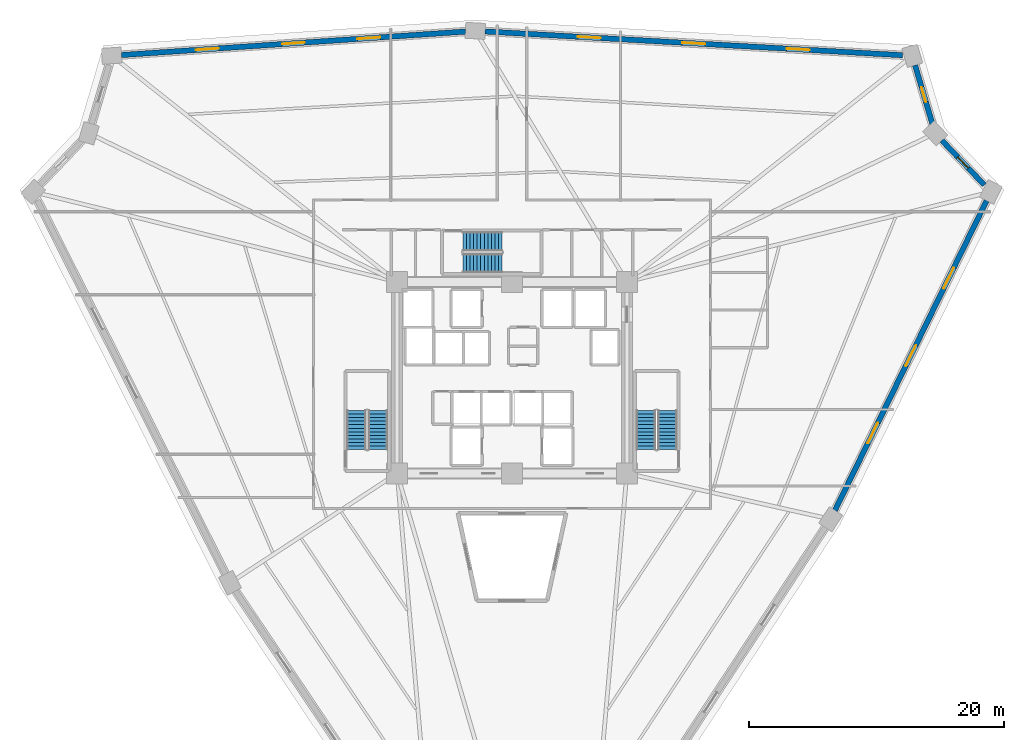
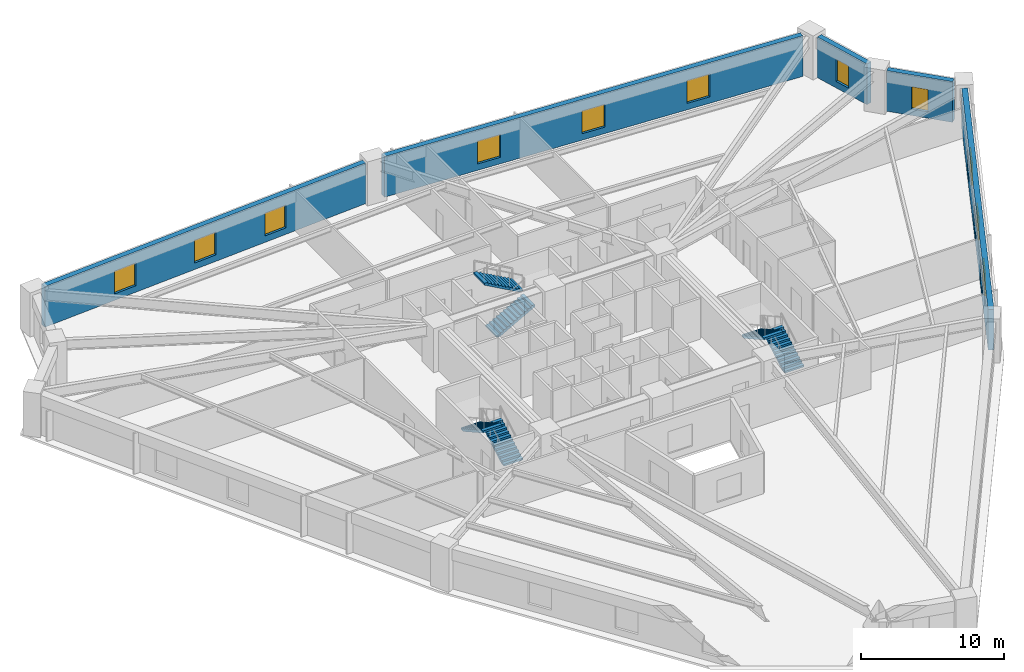
# One storey, part 7 of 8: 11 windows, 6 stair flights, 5 walls, 11 openings, 3 elements without a shape of their own.
"""IFC4 building model written with IfcOpenShell, lengths in metres."""

from ifc_helpers import new_model, si_unit, direction, frame, frame_2d, origin, place, context, subcontext, project, spatial, polyline, rectangle, outline, extrude, source, transform, mapped, material, layer, layer_set, type_object, element, fill, aggregate, save


model = new_model("IFC4")

# Units and contexts
model_context = context("Model", 3, precision=1e-05, world=origin(), true_north=direction((0.0, 1.0)))
body_context = subcontext(model_context, "Body", "Model", "MODEL_VIEW")
ifc_project = project(units=[si_unit("LENGTHUNIT", "METRE"), si_unit("AREAUNIT", "SQUARE_METRE"), si_unit("VOLUMEUNIT", "CUBIC_METRE"), si_unit("PLANEANGLEUNIT", "RADIAN"), si_unit("MASSUNIT", "GRAM", prefix="KILO")], contexts=[model_context])

# Site, building, storey
site_placement = place(None, origin())
site = spatial("IfcSite", under=ifc_project, at=site_placement, CompositionType="ELEMENT")
building_placement = place(site_placement, origin())
building = spatial("IfcBuilding", under=site, at=building_placement, Name="Liaohun Quay Tower", CompositionType="ELEMENT")
storey_placement = place(building_placement, frame((0.0, 0.0, 89.25)))
storey = spatial("IfcBuildingStorey", under=building, at=storey_placement, Name="L23", CompositionType="ELEMENT", Elevation=89.25)

# Wall, openings, windows
ifc_material_1 = material(Name="Precast concrete C50 insulated sandwich", Category="concrete")
ifc_layer = layer(ifc_material_1, 0.419921875, Name="Precast concrete C50 insulated sandwich", Category="concrete")
ifc_layer_set = layer_set([ifc_layer], Name="Precast concrete C50 insulated sandwich")
wall_type = type_object("IfcWallType", Name="WAL-EXT-Z12", PredefinedType="SOLIDWALL", material=ifc_layer_set)
wall_1_placement = place(storey_placement, frame((85.302978515625, 43.593994140625, 0.0), z_axis=(0.0, 0.0, 1.0), x_axis=(0.43984083091, 0.898075744837, 0.0)))
wall_1 = element("IfcWall", 1, at=wall_1_placement, inside=storey, type_object=wall_type, Name="L23 Brutalist Precast Pier Wall 03", PredefinedType="SOLIDWALL", context=body_context, shape_type="SweptSolid", body=[
    extrude(rectangle(XDim=27.0234375, YDim=0.419921875, at=frame_2d((13.51171875, 0.0))), origin(), (0.0, 0.0, 1.0), 3.469970703125),
])
shared_shape_1 = source(origin(), body_context, "Body", "SweptSolid", [
    extrude(rectangle(XDim=1.800048828125, YDim=1.949951171875, at=frame_2d((0.89990234375, 0.97509765625))), frame((0.0, 0.219970703125, 0.0), z_axis=(0.0, -1.0, 0.0), x_axis=(1.0, 0.0, 0.0)), (0.0, 0.0, 1.0), 0.43994140625),
])
opening_1_placement = place(wall_1_placement, frame((5.85595703125, 0.0, 0.550048828125)))
opening_1 = element("IfcOpeningElement", 2, at=opening_1_placement, cuts=wall_1, Name="Opening W01", PredefinedType="OPENING", context=body_context, shape_type="MappedRepresentation", body=[
    mapped(shared_shape_1, transform((0.0, 0.0, 0.0), x_axis=(1.0, 0.0, 0.0), y_axis=(0.0, 1.0, 0.0), z_axis=(0.0, 0.0, 1.0), scale=1.0)),
])
opening_2_placement = place(wall_1_placement, frame((12.612060546875, 0.0, 0.550048828125)))
opening_2 = element("IfcOpeningElement", 3, at=opening_2_placement, cuts=wall_1, Name="Opening W01", PredefinedType="OPENING", context=body_context, shape_type="MappedRepresentation", body=[
    mapped(shared_shape_1, transform((0.0, 0.0, 0.0), x_axis=(1.0, 0.0, 0.0), y_axis=(0.0, 1.0, 0.0), z_axis=(0.0, 0.0, 1.0), scale=1.0)),
])
opening_3_placement = place(wall_1_placement, frame((19.367919921875, 0.0, 0.550048828125)))
opening_3 = element("IfcOpeningElement", 4, at=opening_3_placement, cuts=wall_1, Name="Opening W01", PredefinedType="OPENING", context=body_context, shape_type="MappedRepresentation", body=[
    mapped(shared_shape_1, transform((0.0, 0.0, 0.0), x_axis=(1.0, 0.0, 0.0), y_axis=(0.0, 1.0, 0.0), z_axis=(0.0, 0.0, 1.0), scale=1.0)),
])
ifc_material_2 = material(Name="Triple Low-E argon glazing in thermally broken aluminium", Category="aluminium")
window_type_1 = type_object("IfcWindowType", Name="WIN-PUN-Z1", PartitioningType="DOUBLE_PANEL_VERTICAL", PredefinedType="WINDOW", material=ifc_material_2)
shared_shape_2 = source(origin(), body_context, "Body", "SweptSolid", [
    extrude(rectangle(XDim=1.800048828125, YDim=1.949951171875, at=frame_2d((0.89990234375, 0.97509765625))), frame((0.0, 0.030029296875, 0.0), z_axis=(0.0, -1.0, 0.0), x_axis=(1.0, 0.0, 0.0)), (0.0, 0.0, 1.0), 0.06005859375),
])
window_1_placement = place(opening_1_placement, origin())
window_1 = element("IfcWindow", 5, at=window_1_placement, inside=storey, type_object=window_type_1, Name="L23 Recessed Cold-Climate Punched Window 03-1", OverallHeight=1.949951171875, OverallWidth=1.800048828125, PartitioningType="DOUBLE_PANEL_VERTICAL", PredefinedType="WINDOW", context=body_context, shape_type="MappedRepresentation", body=[
    mapped(shared_shape_2, transform((0.0, 0.0, 0.0), x_axis=(1.0, 0.0, 0.0), y_axis=(0.0, 1.0, 0.0), z_axis=(0.0, 0.0, 1.0), scale=1.0)),
])
fill(opening_1, window_1)
window_2_placement = place(opening_2_placement, origin())
window_2 = element("IfcWindow", 6, at=window_2_placement, inside=storey, type_object=window_type_1, Name="L23 Recessed Cold-Climate Punched Window 03-2", OverallHeight=1.949951171875, OverallWidth=1.800048828125, PartitioningType="DOUBLE_PANEL_VERTICAL", PredefinedType="WINDOW", context=body_context, shape_type="MappedRepresentation", body=[
    mapped(shared_shape_2, transform((0.0, 0.0, 0.0), x_axis=(1.0, 0.0, 0.0), y_axis=(0.0, 1.0, 0.0), z_axis=(0.0, 0.0, 1.0), scale=1.0)),
])
fill(opening_2, window_2)
window_3_placement = place(opening_3_placement, origin())
window_3 = element("IfcWindow", 7, at=window_3_placement, inside=storey, type_object=window_type_1, Name="L23 Recessed Cold-Climate Punched Window 03-3", OverallHeight=1.949951171875, OverallWidth=1.800048828125, PartitioningType="DOUBLE_PANEL_VERTICAL", PredefinedType="WINDOW", context=body_context, shape_type="MappedRepresentation", body=[
    mapped(shared_shape_2, transform((0.0, 0.0, 0.0), x_axis=(1.0, 0.0, 0.0), y_axis=(0.0, 1.0, 0.0), z_axis=(0.0, 0.0, 1.0), scale=1.0)),
])
fill(opening_3, window_3)

# Wall, opening, window
wall_2_placement = place(storey_placement, frame((96.998046875, 69.10400390625, 0.0), z_axis=(0.0, 0.0, 1.0), x_axis=(-0.68945615516, 0.724327419136, 0.0)))
wall_2 = element("IfcWall", 8, at=wall_2_placement, inside=storey, type_object=wall_type, Name="L23 Brutalist Precast Pier Wall 04", PredefinedType="SOLIDWALL", context=body_context, shape_type="SweptSolid", body=[
    extrude(rectangle(XDim=4.809814453125, YDim=0.419921875, at=frame_2d((2.40478515625, 0.0))), origin(), (0.0, 0.0, 1.0), 3.469970703125),
])
shared_shape_3 = source(origin(), body_context, "Body", "SweptSolid", [
    extrude(rectangle(XDim=1.199951171875, YDim=1.89990234375, at=frame_2d((0.60009765625, 0.949951171875))), frame((0.0, 0.219970703125, 0.0), z_axis=(0.0, -1.0, 0.0), x_axis=(1.0, 0.0, 0.0)), (0.0, 0.0, 1.0), 0.43994140625),
])
opening_4_placement = place(wall_2_placement, frame((1.804931640625, 0.0, 0.550048828125)))
opening_4 = element("IfcOpeningElement", 9, at=opening_4_placement, cuts=wall_2, Name="Opening W05", PredefinedType="OPENING", context=body_context, shape_type="MappedRepresentation", body=[
    mapped(shared_shape_3, transform((0.0, 0.0, 0.0), x_axis=(1.0, 0.0, 0.0), y_axis=(0.0, 1.0, 0.0), z_axis=(0.0, 0.0, 1.0), scale=1.0)),
])
ifc_material_3 = material(Name="Triple Low-E corner notch glazing", Category="glass")
window_type_2 = type_object("IfcWindowType", Name="WIN-NOTCH", PartitioningType="SINGLE_PANEL", PredefinedType="WINDOW", material=ifc_material_3)
shared_shape_4 = source(origin(), body_context, "Body", "SweptSolid", [
    extrude(rectangle(XDim=1.199951171875, YDim=1.89990234375, at=frame_2d((0.60009765625, 0.949951171875))), frame((0.0, 0.030029296875, 0.0), z_axis=(0.0, -1.0, 0.0), x_axis=(1.0, 0.0, 0.0)), (0.0, 0.0, 1.0), 0.06005859375),
])
window_4_placement = place(opening_4_placement, origin())
window_4 = element("IfcWindow", 10, at=window_4_placement, inside=storey, type_object=window_type_2, Name="L23 Corner Notch Window W05-04", OverallHeight=1.89990234375, OverallWidth=1.199951171875, PartitioningType="SINGLE_PANEL", PredefinedType="WINDOW", context=body_context, shape_type="MappedRepresentation", body=[
    mapped(shared_shape_4, transform((0.0, 0.0, 0.0), x_axis=(1.0, 0.0, 0.0), y_axis=(0.0, 1.0, 0.0), z_axis=(0.0, 0.0, 1.0), scale=1.0)),
])
fill(opening_4, window_4)

wall_3_placement = place(storey_placement, frame((92.93896484375, 73.8759765625, 0.0), z_axis=(0.0, 0.0, 1.0), x_axis=(-0.28283801754, 0.959167689111, 0.0)))
wall_3 = element("IfcWall", 11, at=wall_3_placement, inside=storey, type_object=wall_type, Name="L23 Brutalist Precast Pier Wall 05", PredefinedType="SOLIDWALL", context=body_context, shape_type="SweptSolid", body=[
    extrude(rectangle(XDim=4.801025390625, YDim=0.419921875, at=frame_2d((2.400390625, 0.0))), origin(), (0.0, 0.0, 1.0), 3.469970703125),
])
opening_5_placement = place(wall_3_placement, frame((1.801025390625, 0.0, 0.550048828125)))
opening_5 = element("IfcOpeningElement", 12, at=opening_5_placement, cuts=wall_3, Name="Opening W05", PredefinedType="OPENING", context=body_context, shape_type="MappedRepresentation", body=[
    mapped(shared_shape_3, transform((0.0, 0.0, 0.0), x_axis=(1.0, 0.0, 0.0), y_axis=(0.0, 1.0, 0.0), z_axis=(0.0, 0.0, 1.0), scale=1.0)),
])
window_5_placement = place(opening_5_placement, origin())
window_5 = element("IfcWindow", 13, at=window_5_placement, inside=storey, type_object=window_type_2, Name="L23 Corner Notch Window W05-05", OverallHeight=1.89990234375, OverallWidth=1.199951171875, PartitioningType="SINGLE_PANEL", PredefinedType="WINDOW", context=body_context, shape_type="MappedRepresentation", body=[
    mapped(shared_shape_4, transform((0.0, 0.0, 0.0), x_axis=(1.0, 0.0, 0.0), y_axis=(0.0, 1.0, 0.0), z_axis=(0.0, 0.0, 1.0), scale=1.0)),
])
fill(opening_5, window_5)

# Wall, openings, windows
wall_4_placement = place(storey_placement, frame((90.60107421875, 79.259033203125, 0.0), z_axis=(0.0, 0.0, 1.0), x_axis=(-0.99837885552, 0.056918018682, 0.0)))
wall_4 = element("IfcWall", 14, at=wall_4_placement, inside=storey, type_object=wall_type, Name="L23 Brutalist Precast Pier Wall 06", PredefinedType="SOLIDWALL", context=body_context, shape_type="SweptSolid", body=[
    extrude(rectangle(XDim=32.766357421875, YDim=0.419921875, at=frame_2d((16.38330078125, 0.0))), origin(), (0.0, 0.0, 1.0), 3.469970703125),
])
opening_6_placement = place(wall_4_placement, frame((7.2919921875, 0.0, 0.550048828125)))
opening_6 = element("IfcOpeningElement", 15, at=opening_6_placement, cuts=wall_4, Name="Opening W01", PredefinedType="OPENING", context=body_context, shape_type="MappedRepresentation", body=[
    mapped(shared_shape_1, transform((0.0, 0.0, 0.0), x_axis=(1.0, 0.0, 0.0), y_axis=(0.0, 1.0, 0.0), z_axis=(0.0, 0.0, 1.0), scale=1.0)),
])
opening_7_placement = place(wall_4_placement, frame((15.48291015625, 0.0, 0.550048828125)))
opening_7 = element("IfcOpeningElement", 16, at=opening_7_placement, cuts=wall_4, Name="Opening W01", PredefinedType="OPENING", context=body_context, shape_type="MappedRepresentation", body=[
    mapped(shared_shape_1, transform((0.0, 0.0, 0.0), x_axis=(1.0, 0.0, 0.0), y_axis=(0.0, 1.0, 0.0), z_axis=(0.0, 0.0, 1.0), scale=1.0)),
])
opening_8_placement = place(wall_4_placement, frame((23.675048828125, 0.0, 0.550048828125)))
opening_8 = element("IfcOpeningElement", 17, at=opening_8_placement, cuts=wall_4, Name="Opening W01", PredefinedType="OPENING", context=body_context, shape_type="MappedRepresentation", body=[
    mapped(shared_shape_1, transform((0.0, 0.0, 0.0), x_axis=(1.0, 0.0, 0.0), y_axis=(0.0, 1.0, 0.0), z_axis=(0.0, 0.0, 1.0), scale=1.0)),
])
window_6_placement = place(opening_6_placement, origin())
window_6 = element("IfcWindow", 18, at=window_6_placement, inside=storey, type_object=window_type_1, Name="L23 Recessed Cold-Climate Punched Window 06-1", OverallHeight=1.949951171875, OverallWidth=1.800048828125, PartitioningType="DOUBLE_PANEL_VERTICAL", PredefinedType="WINDOW", context=body_context, shape_type="MappedRepresentation", body=[
    mapped(shared_shape_2, transform((0.0, 0.0, 0.0), x_axis=(1.0, 0.0, 0.0), y_axis=(0.0, 1.0, 0.0), z_axis=(0.0, 0.0, 1.0), scale=1.0)),
])
fill(opening_6, window_6)
window_7_placement = place(opening_7_placement, origin())
window_7 = element("IfcWindow", 19, at=window_7_placement, inside=storey, type_object=window_type_1, Name="L23 Recessed Cold-Climate Punched Window 06-2", OverallHeight=1.949951171875, OverallWidth=1.800048828125, PartitioningType="DOUBLE_PANEL_VERTICAL", PredefinedType="WINDOW", context=body_context, shape_type="MappedRepresentation", body=[
    mapped(shared_shape_2, transform((0.0, 0.0, 0.0), x_axis=(1.0, 0.0, 0.0), y_axis=(0.0, 1.0, 0.0), z_axis=(0.0, 0.0, 1.0), scale=1.0)),
])
fill(opening_7, window_7)
window_8_placement = place(opening_8_placement, origin())
window_8 = element("IfcWindow", 20, at=window_8_placement, inside=storey, type_object=window_type_1, Name="L23 Recessed Cold-Climate Punched Window 06-3", OverallHeight=1.949951171875, OverallWidth=1.800048828125, PartitioningType="DOUBLE_PANEL_VERTICAL", PredefinedType="WINDOW", context=body_context, shape_type="MappedRepresentation", body=[
    mapped(shared_shape_2, transform((0.0, 0.0, 0.0), x_axis=(1.0, 0.0, 0.0), y_axis=(0.0, 1.0, 0.0), z_axis=(0.0, 0.0, 1.0), scale=1.0)),
])
fill(opening_8, window_8)

wall_5_placement = place(storey_placement, frame((56.361083984375, 81.115966796875, 0.0), z_axis=(0.0, 0.0, 1.0), x_axis=(-0.997674193577, -0.068163065302, 0.0)))
wall_5 = element("IfcWall", 21, at=wall_5_placement, inside=storey, type_object=wall_type, Name="L23 Brutalist Precast Pier Wall 07", PredefinedType="SOLIDWALL", context=body_context, shape_type="SweptSolid", body=[
    extrude(rectangle(XDim=27.02392578125, YDim=0.419921875, at=frame_2d((13.511962890625, 0.0))), origin(), (0.0, 0.0, 1.0), 3.469970703125),
])
opening_9_placement = place(wall_5_placement, frame((6.7060546875, 0.0, 0.550048828125)))
opening_9 = element("IfcOpeningElement", 22, at=opening_9_placement, cuts=wall_5, Name="Opening W01", PredefinedType="OPENING", context=body_context, shape_type="MappedRepresentation", body=[
    mapped(shared_shape_1, transform((0.0, 0.0, 0.0), x_axis=(1.0, 0.0, 0.0), y_axis=(0.0, 1.0, 0.0), z_axis=(0.0, 0.0, 1.0), scale=1.0)),
])
opening_10_placement = place(wall_5_placement, frame((12.612060546875, 0.0, 0.550048828125)))
opening_10 = element("IfcOpeningElement", 23, at=opening_10_placement, cuts=wall_5, Name="Opening W01", PredefinedType="OPENING", context=body_context, shape_type="MappedRepresentation", body=[
    mapped(shared_shape_1, transform((0.0, 0.0, 0.0), x_axis=(1.0, 0.0, 0.0), y_axis=(0.0, 1.0, 0.0), z_axis=(0.0, 0.0, 1.0), scale=1.0)),
])
opening_11_placement = place(wall_5_placement, frame((19.367919921875, 0.0, 0.550048828125)))
opening_11 = element("IfcOpeningElement", 24, at=opening_11_placement, cuts=wall_5, Name="Opening W01", PredefinedType="OPENING", context=body_context, shape_type="MappedRepresentation", body=[
    mapped(shared_shape_1, transform((0.0, 0.0, 0.0), x_axis=(1.0, 0.0, 0.0), y_axis=(0.0, 1.0, 0.0), z_axis=(0.0, 0.0, 1.0), scale=1.0)),
])
window_9_placement = place(opening_9_placement, origin())
window_9 = element("IfcWindow", 25, at=window_9_placement, inside=storey, type_object=window_type_1, Name="L23 Recessed Cold-Climate Punched Window 07-1", OverallHeight=1.949951171875, OverallWidth=1.800048828125, PartitioningType="DOUBLE_PANEL_VERTICAL", PredefinedType="WINDOW", context=body_context, shape_type="MappedRepresentation", body=[
    mapped(shared_shape_2, transform((0.0, 0.0, 0.0), x_axis=(1.0, 0.0, 0.0), y_axis=(0.0, 1.0, 0.0), z_axis=(0.0, 0.0, 1.0), scale=1.0)),
])
fill(opening_9, window_9)
window_10_placement = place(opening_10_placement, origin())
window_10 = element("IfcWindow", 26, at=window_10_placement, inside=storey, type_object=window_type_1, Name="L23 Recessed Cold-Climate Punched Window 07-2", OverallHeight=1.949951171875, OverallWidth=1.800048828125, PartitioningType="DOUBLE_PANEL_VERTICAL", PredefinedType="WINDOW", context=body_context, shape_type="MappedRepresentation", body=[
    mapped(shared_shape_2, transform((0.0, 0.0, 0.0), x_axis=(1.0, 0.0, 0.0), y_axis=(0.0, 1.0, 0.0), z_axis=(0.0, 0.0, 1.0), scale=1.0)),
])
fill(opening_10, window_10)
window_11_placement = place(opening_11_placement, origin())
window_11 = element("IfcWindow", 27, at=window_11_placement, inside=storey, type_object=window_type_1, Name="L23 Recessed Cold-Climate Punched Window 07-3", OverallHeight=1.949951171875, OverallWidth=1.800048828125, PartitioningType="DOUBLE_PANEL_VERTICAL", PredefinedType="WINDOW", context=body_context, shape_type="MappedRepresentation", body=[
    mapped(shared_shape_2, transform((0.0, 0.0, 0.0), x_axis=(1.0, 0.0, 0.0), y_axis=(0.0, 1.0, 0.0), z_axis=(0.0, 0.0, 1.0), scale=1.0)),
])
fill(opening_11, window_11)

# Stair, stair flights
ifc_material_4 = material(Name="Concrete C45", Category="concrete")
stair_type = type_object("IfcStairType", Name="STR-CORE-OFF", PredefinedType="HALF_TURN_STAIR", material=ifc_material_4)
stair_1_placement = place(storey_placement, origin())
stair_1 = element("IfcStair", 28, at=stair_1_placement, inside=storey, type_object=stair_type, Name="L23 Smokeproof Core Exit Stair ST-1", PredefinedType="HALF_TURN_STAIR")
stair_flight_type = type_object("IfcStairFlightType", Name="FLT-CORE-155", PredefinedType="STRAIGHT", material=ifc_material_4)
stair_flight_1_placement = place(storey_placement, frame((49.5048828125, 48.35009765625, 0.0), z_axis=(0.0, 0.0, 1.0), x_axis=(0.0, 1.0, 0.0)))
stair_flight_1 = element("IfcStairFlight", 29, at=stair_flight_1_placement, type_object=stair_flight_type, Name="ST-1 flight 1", NumberOfRisers=12, NumberOfTreads=11, PredefinedType="STRAIGHT", RiserHeight=0.15625, TreadLength=0.28, context=body_context, shape_type="SweptSolid", body=[
    extrude(outline(polyline([(0.0, 0.0), (0.0, 0.15625), (0.280029296875, 0.15625), (0.280029296875, 0.3125), (0.56005859375, 0.3125), (0.56005859375, 0.46875), (0.840087890625, 0.46875), (0.840087890625, 0.625), (1.1201171875, 0.625), (1.1201171875, 0.78125), (1.39990234375, 0.78125), (1.39990234375, 0.9375), (1.679931640625, 0.9375), (1.679931640625, 1.09375), (1.9599609375, 1.09375), (1.9599609375, 1.25), (2.239990234375, 1.25), (2.239990234375, 1.40625), (2.52001953125, 1.40625), (2.52001953125, 1.5625), (2.800048828125, 1.5625), (2.800048828125, 1.71875), (3.080078125, 1.71875), (3.080078125, 1.875), (3.080078125, 1.547119140625), (0.3076171875, 0.0), (0.0, 0.0)])), frame((0.0, 0.77490234375, 0.0), z_axis=(0.0, -1.0, 0.0), x_axis=(1.0, 0.0, 0.0)), (0.0, 0.0, 1.0), 1.550048828125),
])
stair_flight_2_placement = place(storey_placement, frame((47.81494140625, 51.429931640625, 1.875), z_axis=(0.0, 0.0, 1.0), x_axis=(0.0, -1.0, 0.0)))
stair_flight_2 = element("IfcStairFlight", 30, at=stair_flight_2_placement, type_object=stair_flight_type, Name="ST-1 flight 2", NumberOfRisers=12, NumberOfTreads=11, PredefinedType="STRAIGHT", RiserHeight=0.15625, TreadLength=0.28, context=body_context, shape_type="SweptSolid", body=[
    extrude(outline(polyline([(0.0, 0.0), (0.0, 0.15625), (0.280029296875, 0.15625), (0.280029296875, 0.3125), (0.56005859375, 0.3125), (0.56005859375, 0.46875), (0.840087890625, 0.46875), (0.840087890625, 0.625), (1.1201171875, 0.625), (1.1201171875, 0.78125), (1.39990234375, 0.78125), (1.39990234375, 0.9375), (1.679931640625, 0.9375), (1.679931640625, 1.09375), (1.9599609375, 1.09375), (1.9599609375, 1.25), (2.239990234375, 1.25), (2.239990234375, 1.40625), (2.52001953125, 1.40625), (2.52001953125, 1.5625), (2.800048828125, 1.5625), (2.800048828125, 1.71875), (3.080078125, 1.71875), (3.080078125, 1.875), (3.080078125, 1.547119140625), (0.3076171875, 0.0), (0.0, 0.0)])), frame((0.0, 0.77490234375, 0.0), z_axis=(0.0, -1.0, 0.0), x_axis=(1.0, 0.0, 0.0)), (0.0, 0.0, 1.0), 1.550048828125),
])
aggregate(stair_1, [stair_flight_1, stair_flight_2])

stair_2_placement = place(storey_placement, origin())
stair_2 = element("IfcStair", 31, at=stair_2_placement, inside=storey, type_object=stair_type, Name="L23 Smokeproof Core Exit Stair ST-2", PredefinedType="HALF_TURN_STAIR")
stair_flight_3_placement = place(storey_placement, frame((72.18505859375, 48.35009765625, 0.0), z_axis=(0.0, 0.0, 1.0), x_axis=(0.0, 1.0, 0.0)))
stair_flight_3 = element("IfcStairFlight", 32, at=stair_flight_3_placement, type_object=stair_flight_type, Name="ST-2 flight 1", NumberOfRisers=12, NumberOfTreads=11, PredefinedType="STRAIGHT", RiserHeight=0.15625, TreadLength=0.28, context=body_context, shape_type="SweptSolid", body=[
    extrude(outline(polyline([(0.0, 0.0), (0.0, 0.15625), (0.280029296875, 0.15625), (0.280029296875, 0.3125), (0.56005859375, 0.3125), (0.56005859375, 0.46875), (0.840087890625, 0.46875), (0.840087890625, 0.625), (1.1201171875, 0.625), (1.1201171875, 0.78125), (1.39990234375, 0.78125), (1.39990234375, 0.9375), (1.679931640625, 0.9375), (1.679931640625, 1.09375), (1.9599609375, 1.09375), (1.9599609375, 1.25), (2.239990234375, 1.25), (2.239990234375, 1.40625), (2.52001953125, 1.40625), (2.52001953125, 1.5625), (2.800048828125, 1.5625), (2.800048828125, 1.71875), (3.080078125, 1.71875), (3.080078125, 1.875), (3.080078125, 1.547119140625), (0.3076171875, 0.0), (0.0, 0.0)])), frame((0.0, 0.77490234375, 0.0), z_axis=(0.0, -1.0, 0.0), x_axis=(1.0, 0.0, 0.0)), (0.0, 0.0, 1.0), 1.550048828125),
])
stair_flight_4_placement = place(storey_placement, frame((70.4951171875, 51.429931640625, 1.875), z_axis=(0.0, 0.0, 1.0), x_axis=(0.0, -1.0, 0.0)))
stair_flight_4 = element("IfcStairFlight", 33, at=stair_flight_4_placement, type_object=stair_flight_type, Name="ST-2 flight 2", NumberOfRisers=12, NumberOfTreads=11, PredefinedType="STRAIGHT", RiserHeight=0.15625, TreadLength=0.28, context=body_context, shape_type="SweptSolid", body=[
    extrude(outline(polyline([(0.0, 0.0), (0.0, 0.15625), (0.280029296875, 0.15625), (0.280029296875, 0.3125), (0.56005859375, 0.3125), (0.56005859375, 0.46875), (0.840087890625, 0.46875), (0.840087890625, 0.625), (1.1201171875, 0.625), (1.1201171875, 0.78125), (1.39990234375, 0.78125), (1.39990234375, 0.9375), (1.679931640625, 0.9375), (1.679931640625, 1.09375), (1.9599609375, 1.09375), (1.9599609375, 1.25), (2.239990234375, 1.25), (2.239990234375, 1.40625), (2.52001953125, 1.40625), (2.52001953125, 1.5625), (2.800048828125, 1.5625), (2.800048828125, 1.71875), (3.080078125, 1.71875), (3.080078125, 1.875), (3.080078125, 1.547119140625), (0.3076171875, 0.0), (0.0, 0.0)])), frame((0.0, 0.77490234375, 0.0), z_axis=(0.0, -1.0, 0.0), x_axis=(1.0, 0.0, 0.0)), (0.0, 0.0, 1.0), 1.550048828125),
])
aggregate(stair_2, [stair_flight_3, stair_flight_4])

stair_3_placement = place(storey_placement, origin())
stair_3 = element("IfcStair", 34, at=stair_3_placement, inside=storey, type_object=stair_type, Name="L23 Smokeproof Core Exit Stair ST-3", PredefinedType="HALF_TURN_STAIR")
stair_flight_5_placement = place(storey_placement, frame((56.14990234375, 62.97509765625, 0.0), z_axis=(0.0, 0.0, 1.0), x_axis=(1.0, 0.0, 0.0)))
stair_flight_5 = element("IfcStairFlight", 35, at=stair_flight_5_placement, type_object=stair_flight_type, Name="ST-3 flight 1", NumberOfRisers=12, NumberOfTreads=11, PredefinedType="STRAIGHT", RiserHeight=0.15625, TreadLength=0.28, context=body_context, shape_type="SweptSolid", body=[
    extrude(outline(polyline([(0.0, 0.0), (0.0, 0.15625), (0.280029296875, 0.15625), (0.280029296875, 0.3125), (0.56005859375, 0.3125), (0.56005859375, 0.46875), (0.840087890625, 0.46875), (0.840087890625, 0.625), (1.1201171875, 0.625), (1.1201171875, 0.78125), (1.39990234375, 0.78125), (1.39990234375, 0.9375), (1.679931640625, 0.9375), (1.679931640625, 1.09375), (1.9599609375, 1.09375), (1.9599609375, 1.25), (2.239990234375, 1.25), (2.239990234375, 1.40625), (2.52001953125, 1.40625), (2.52001953125, 1.5625), (2.800048828125, 1.5625), (2.800048828125, 1.71875), (3.080078125, 1.71875), (3.080078125, 1.875), (3.080078125, 1.547119140625), (0.3076171875, 0.0), (0.0, 0.0)])), frame((0.0, 0.77490234375, 0.0), z_axis=(0.0, -1.0, 0.0), x_axis=(1.0, 0.0, 0.0)), (0.0, 0.0, 1.0), 1.550048828125),
])
stair_flight_6_placement = place(storey_placement, frame((59.22998046875, 64.6650390625, 1.875), z_axis=(0.0, 0.0, 1.0), x_axis=(-1.0, 0.0, 0.0)))
stair_flight_6 = element("IfcStairFlight", 36, at=stair_flight_6_placement, type_object=stair_flight_type, Name="ST-3 flight 2", NumberOfRisers=12, NumberOfTreads=11, PredefinedType="STRAIGHT", RiserHeight=0.15625, TreadLength=0.28, context=body_context, shape_type="SweptSolid", body=[
    extrude(outline(polyline([(0.0, 0.0), (0.0, 0.15625), (0.280029296875, 0.15625), (0.280029296875, 0.3125), (0.56005859375, 0.3125), (0.56005859375, 0.46875), (0.840087890625, 0.46875), (0.840087890625, 0.625), (1.1201171875, 0.625), (1.1201171875, 0.78125), (1.39990234375, 0.78125), (1.39990234375, 0.9375), (1.679931640625, 0.9375), (1.679931640625, 1.09375), (1.9599609375, 1.09375), (1.9599609375, 1.25), (2.239990234375, 1.25), (2.239990234375, 1.40625), (2.52001953125, 1.40625), (2.52001953125, 1.5625), (2.800048828125, 1.5625), (2.800048828125, 1.71875), (3.080078125, 1.71875), (3.080078125, 1.875), (3.080078125, 1.547119140625), (0.3076171875, 0.0), (0.0, 0.0)])), frame((0.0, 0.77490234375, 0.0), z_axis=(0.0, -1.0, 0.0), x_axis=(1.0, 0.0, 0.0)), (0.0, 0.0, 1.0), 1.550048828125),
])
aggregate(stair_3, [stair_flight_5, stair_flight_6])

save(model, "model.ifc")
